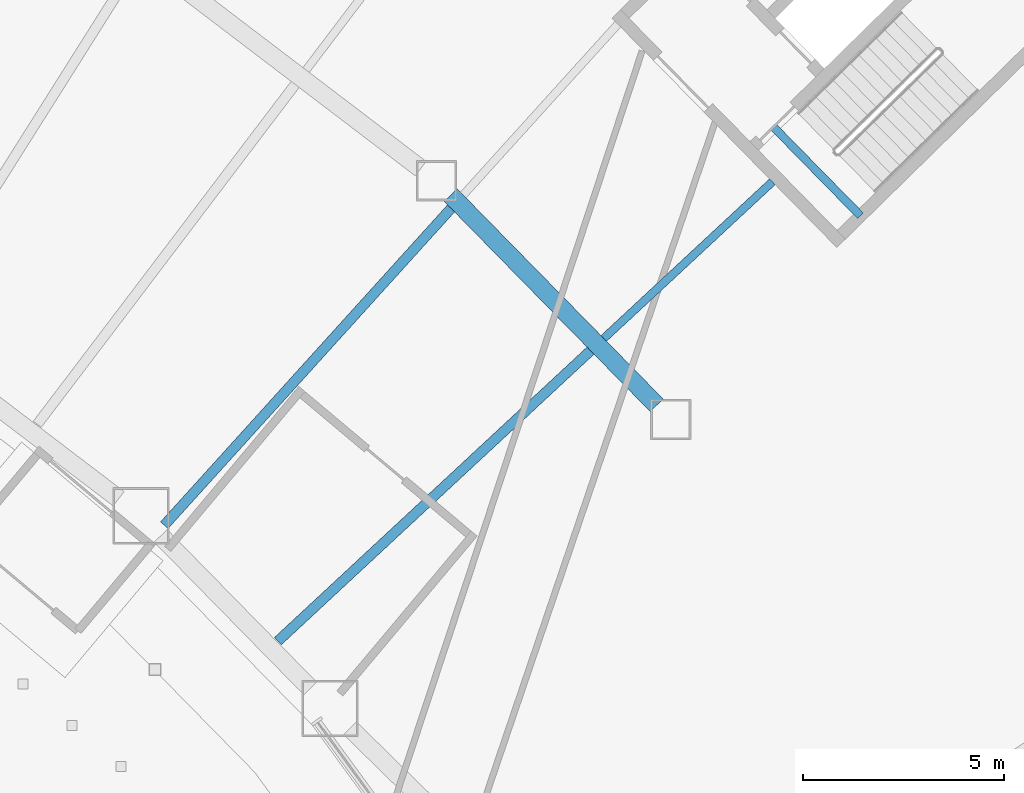
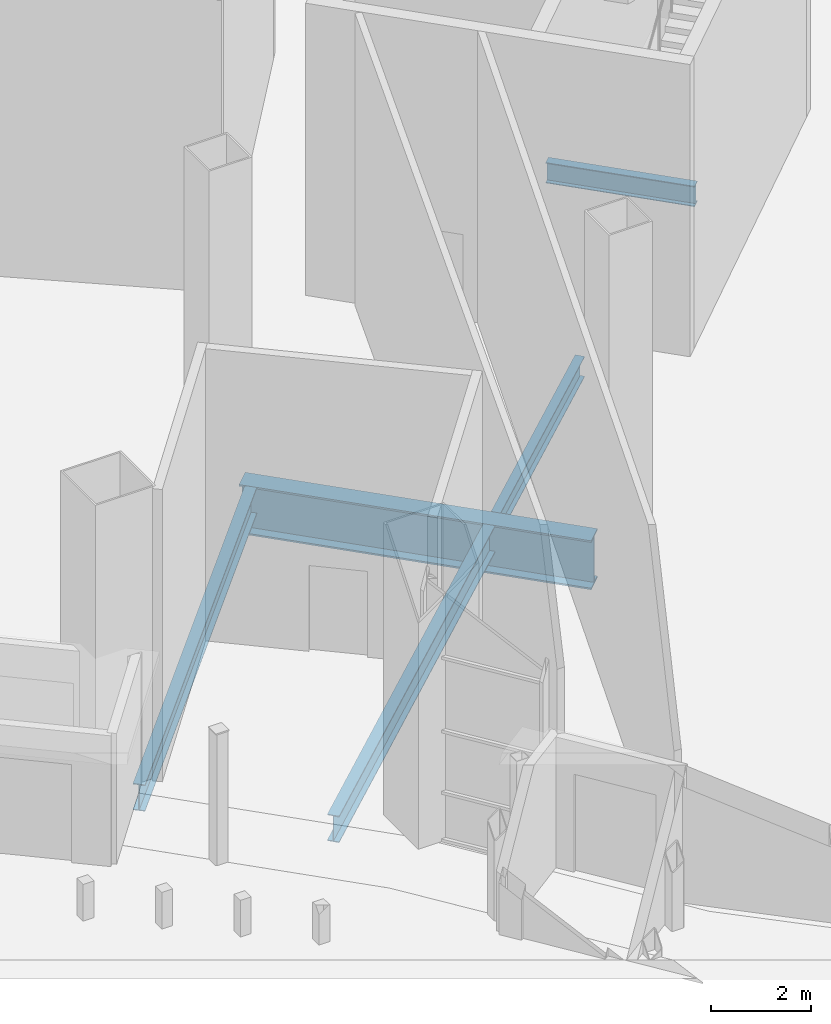
# One storey, part 20 of 45: 5 beams.
"""IFC4 building model written with IfcOpenShell, lengths in metres."""

from ifc_helpers import new_model, si_unit, direction, frame, origin, origin_2d, place, context, subcontext, project, spatial, i_section, extrude, material, material_profile, profile_set, type_object, element, save


model = new_model("IFC4")

# Units and contexts
model_context = context("Model", 3, precision=1e-05, world=origin(), true_north=direction((0.0, 1.0)))
body_context = subcontext(model_context, "Body", "Model", "MODEL_VIEW")
ifc_project = project(units=[si_unit("LENGTHUNIT", "METRE"), si_unit("AREAUNIT", "SQUARE_METRE"), si_unit("VOLUMEUNIT", "CUBIC_METRE"), si_unit("PLANEANGLEUNIT", "RADIAN"), si_unit("MASSUNIT", "GRAM", prefix="KILO")], contexts=[model_context])

# Site, building, storey
site_placement = place(None, origin())
site = spatial("IfcSite", under=ifc_project, at=site_placement, CompositionType="ELEMENT")
building_placement = place(site_placement, origin())
building = spatial("IfcBuilding", under=site, at=building_placement, Name="Tuul Gate Civic Tower", CompositionType="ELEMENT")
storey_placement = place(building_placement, origin())
storey = spatial("IfcBuildingStorey", under=building, at=storey_placement, Name="Level 00", CompositionType="ELEMENT", Elevation=0.0)

# Beams
ifc_material_1 = material(Name="Steel S355", Category="steel")
ifc_material_profile_1 = material_profile(ifc_material_1, i_section(OverallWidth=0.199951171875, OverallDepth=0.5, WebThickness=0.010009765625, FlangeThickness=0.01611328125, at=origin_2d()), Name="PG500x200x10x16")
ifc_profile_set_1 = profile_set([ifc_material_profile_1], Name="Steel S355")
beam_type_1 = type_object("IfcBeamType", Name="STR-FLOOR BEAM-PG500x200x10x16", PredefinedType="BEAM", material=ifc_profile_set_1)
beam_1_placement = place(storey_placement, frame((42.313232421875, -20.696533203125, -0.64990234375), z_axis=(0.732672121193, 0.680581782615, 0.0), x_axis=(-0.680581782615, 0.732672121193, 0.0)))
element("IfcBeam", 1, at=beam_1_placement, inside=storey, type_object=beam_type_1, Name="Floor beam", PredefinedType="BEAM", context=body_context, shape_type="SweptSolid", body=[
    extrude(i_section(OverallWidth=0.199951171875, OverallDepth=0.5, WebThickness=0.010009765625, FlangeThickness=0.01611328125, at=origin_2d()), origin(), (0.0, 0.0, 1.0), 5.73193359375),
])
beam_2_placement = place(storey_placement, frame((46.539306640625, -15.4296875, 3.300048828125), z_axis=(0.700022587404, -0.714120702069, 0.0), x_axis=(0.714120702069, 0.700022587404, 0.0)))
element("IfcBeam", 2, at=beam_2_placement, inside=storey, type_object=beam_type_1, Name="Landing support beam", PredefinedType="BEAM", context=body_context, shape_type="SweptSolid", body=[
    extrude(i_section(OverallWidth=0.199951171875, OverallDepth=0.5, WebThickness=0.010009765625, FlangeThickness=0.01611328125, at=origin_2d()), origin(), (0.0, 0.0, 1.0), 3.099853515625),
])
ifc_material_2 = material(Name="Steel S355", Category="steel")
ifc_material_profile_2 = material_profile(ifc_material_2, i_section(OverallWidth=0.25, OverallDepth=0.64990234375, WebThickness=0.011962890625, FlangeThickness=0.02001953125, at=origin_2d()), Name="PG650x250x12x20")
ifc_profile_set_2 = profile_set([ifc_material_profile_2], Name="Steel S355")
beam_type_2 = type_object("IfcBeamType", Name="STR-FLOOR BEAM-PG650x250x12x20", PredefinedType="BEAM", material=ifc_profile_set_2)
beam_3_placement = place(storey_placement, frame((34.19580078125, -28.236572265625, -0.72509765625), z_axis=(0.732685493637, 0.680567386387, 0.0), x_axis=(-0.680567386387, 0.732685493637, 0.0)))
element("IfcBeam", 3, at=beam_3_placement, inside=storey, type_object=beam_type_2, Name="Floor beam", PredefinedType="BEAM", context=body_context, shape_type="SweptSolid", body=[
    extrude(i_section(OverallWidth=0.25, OverallDepth=0.64990234375, WebThickness=0.011962890625, FlangeThickness=0.02001953125, at=origin_2d()), origin(), (0.0, 0.0, 1.0), 10.62890625),
])
beam_4_placement = place(storey_placement, frame((31.366455078125, -25.35009765625, -0.72509765625), z_axis=(0.671117501912, 0.741350995567, 0.0), x_axis=(-0.741350995567, 0.671117501912, 0.0)))
element("IfcBeam", 4, at=beam_4_placement, inside=storey, type_object=beam_type_2, Name="Floor beam", PredefinedType="BEAM", context=body_context, shape_type="SweptSolid", body=[
    extrude(i_section(OverallWidth=0.25, OverallDepth=0.64990234375, WebThickness=0.011962890625, FlangeThickness=0.02001953125, at=origin_2d()), origin(), (0.0, 0.0, 1.0), 10.643798828125),
])
ifc_material_3 = material(Name="Steel S355", Category="steel")
ifc_material_profile_3 = material_profile(ifc_material_3, i_section(OverallWidth=0.449951171875, OverallDepth=1.199951171875, WebThickness=0.02001953125, FlangeThickness=0.0400390625, at=origin_2d()), Name="PG1200x450x20x40")
ifc_profile_set_3 = profile_set([ifc_material_profile_3], Name="Steel S355")
beam_type_3 = type_object("IfcBeamType", Name="STR-RING BEAM-PG1200x450x20x40", PredefinedType="BEAM", material=ifc_profile_set_3)
beam_5_placement = place(storey_placement, frame((38.5, -17.127685546875, -1.0), z_axis=(0.699994492155, -0.71414824158, 0.0), x_axis=(0.71414824158, 0.699994492155, 0.0)))
element("IfcBeam", 5, at=beam_5_placement, inside=storey, type_object=beam_type_3, Name="Ring girder", PredefinedType="BEAM", context=body_context, shape_type="SweptSolid", body=[
    extrude(i_section(OverallWidth=0.449951171875, OverallDepth=1.199951171875, WebThickness=0.02001953125, FlangeThickness=0.0400390625, at=origin_2d()), origin(), (0.0, 0.0, 1.0), 7.330810546875),
])

save(model, "model.ifc")
